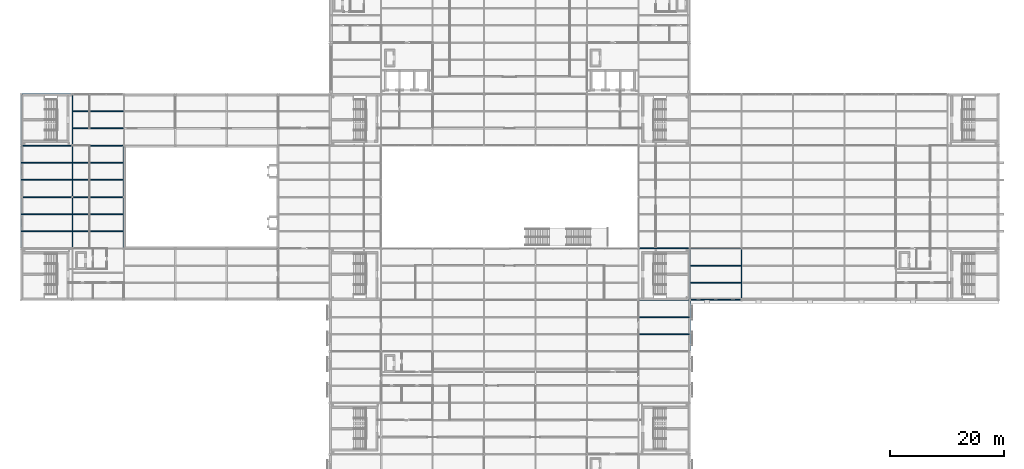
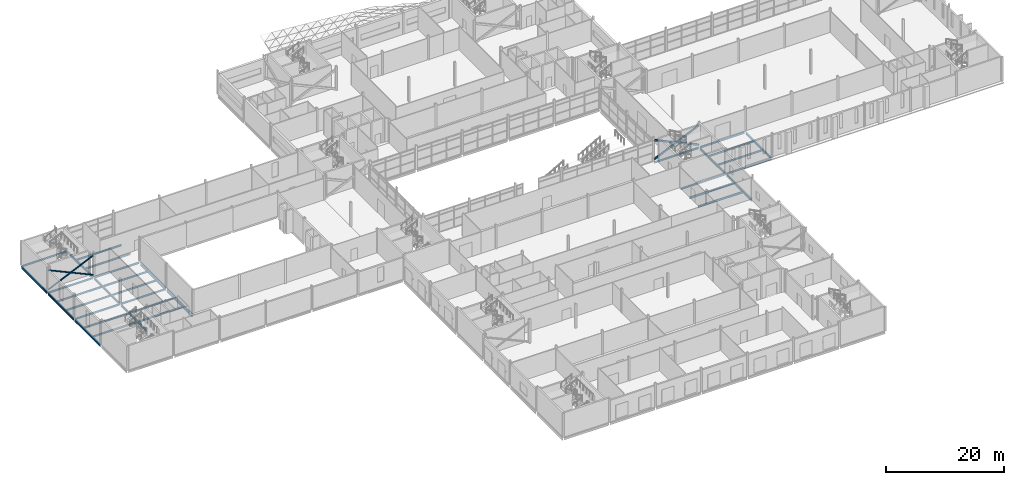
# One storey, part 30 of 112: 34 beams, 4 members.
"""IFC4 building model written with IfcOpenShell, lengths in metres."""

from ifc_helpers import new_model, si_unit, direction, frame, origin, origin_2d, place, context, subcontext, project, spatial, hollow_rectangle, hollow_circle, i_section, extrude, material, material_profile, profile_set, type_object, element, save


model = new_model("IFC4")

# Units and contexts
model_context = context("Model", 3, precision=1e-05, world=origin(), true_north=direction((0.0, 1.0)))
body_context = subcontext(model_context, "Body", "Model", "MODEL_VIEW")
ifc_project = project(units=[si_unit("LENGTHUNIT", "METRE"), si_unit("AREAUNIT", "SQUARE_METRE"), si_unit("VOLUMEUNIT", "CUBIC_METRE"), si_unit("PLANEANGLEUNIT", "RADIAN"), si_unit("MASSUNIT", "GRAM", prefix="KILO")], contexts=[model_context])

# Site, building, storey
site_placement = place(None, origin())
site = spatial("IfcSite", under=ifc_project, at=site_placement, CompositionType="ELEMENT")
building_placement = place(site_placement, origin())
building = spatial("IfcBuilding", under=site, at=building_placement, Name="Shorebreak Coast Museum", CompositionType="ELEMENT")
storey_placement = place(building_placement, frame((0.0, 0.0, 6.0)))
storey = spatial("IfcBuildingStorey", under=building, at=storey_placement, Name="L01", CompositionType="ELEMENT", Elevation=6.0)

# Beams
ifc_material_1 = material(Name="Steel Grade 300", Category="steel")
ifc_material_profile_1 = material_profile(ifc_material_1, i_section(OverallWidth=0.1708984375, OverallDepth=0.355712890625, WebThickness=0.00732421875, FlangeThickness=0.011474609375, FilletRadius=0.011474609375, at=origin_2d()), Name="360UB50.7")
ifc_profile_set_1 = profile_set([ifc_material_profile_1], Name="Steel Grade 300")
beam_type_1 = type_object("IfcBeamType", Name="Floor girder east-west 360UB50.7", PredefinedType="BEAM", material=ifc_profile_set_1)
beam_1_placement = place(storey_placement, frame((117.14990234375, 54.0, -0.352783203125), z_axis=(1.0, 0.0, 0.0), x_axis=(0.0, 1.0, 0.0)))
element("IfcBeam", 1, at=beam_1_placement, inside=storey, type_object=beam_type_1, Name="Floor girder east-west L01 14G", PredefinedType="BEAM", context=body_context, shape_type="SweptSolid", body=[
    extrude(i_section(OverallWidth=0.1708984375, OverallDepth=0.355712890625, WebThickness=0.00732421875, FlangeThickness=0.011474609375, FilletRadius=0.011474609375, at=origin_2d()), origin(), (0.0, 0.0, 1.0), 8.7001953125),
])
beam_2_placement = place(storey_placement, frame((117.154541015625, 63.0, -0.352783203125), z_axis=(1.0, 0.0, 0.0), x_axis=(0.0, 1.0, 0.0)))
element("IfcBeam", 2, at=beam_2_placement, inside=storey, type_object=beam_type_1, Name="Floor girder east-west L01 14H", PredefinedType="BEAM", context=body_context, shape_type="SweptSolid", body=[
    extrude(i_section(OverallWidth=0.1708984375, OverallDepth=0.355712890625, WebThickness=0.00732421875, FlangeThickness=0.011474609375, FilletRadius=0.011474609375, at=origin_2d()), origin(), (0.0, 0.0, 1.0), 8.69091796875),
])
beam_3_placement = place(storey_placement, frame((0.14990234375, 72.0, -0.352783203125), z_axis=(1.0, 0.0, 0.0), x_axis=(0.0, 1.0, 0.0)))
element("IfcBeam", 3, at=beam_3_placement, inside=storey, type_object=beam_type_1, Name="Floor girder east-west L01 1J", PredefinedType="BEAM", context=body_context, shape_type="SweptSolid", body=[
    extrude(i_section(OverallWidth=0.1708984375, OverallDepth=0.355712890625, WebThickness=0.00732421875, FlangeThickness=0.011474609375, FilletRadius=0.011474609375, at=origin_2d()), origin(), (0.0, 0.0, 1.0), 8.695556640625),
])
beam_4_placement = place(storey_placement, frame((9.154541015625, 72.0, -0.352783203125), z_axis=(1.0, 0.0, 0.0), x_axis=(0.0, 1.0, 0.0)))
element("IfcBeam", 4, at=beam_4_placement, inside=storey, type_object=beam_type_1, Name="Floor girder east-west L01 2J", PredefinedType="BEAM", context=body_context, shape_type="SweptSolid", body=[
    extrude(i_section(OverallWidth=0.1708984375, OverallDepth=0.355712890625, WebThickness=0.00732421875, FlangeThickness=0.011474609375, FilletRadius=0.011474609375, at=origin_2d()), origin(), (0.0, 0.0, 1.0), 8.68994140625),
])
beam_5_placement = place(storey_placement, frame((0.14990234375, 81.0, -0.352783203125), z_axis=(1.0, 0.0, 0.0), x_axis=(0.0, 1.0, 0.0)))
element("IfcBeam", 5, at=beam_5_placement, inside=storey, type_object=beam_type_1, Name="Floor girder east-west L01 1K", PredefinedType="BEAM", context=body_context, shape_type="SweptSolid", body=[
    extrude(i_section(OverallWidth=0.1708984375, OverallDepth=0.355712890625, WebThickness=0.00732421875, FlangeThickness=0.011474609375, FilletRadius=0.011474609375, at=origin_2d()), origin(), (0.0, 0.0, 1.0), 8.695556640625),
])
beam_6_placement = place(storey_placement, frame((9.154541015625, 81.0, -0.352783203125), z_axis=(1.0, 0.0, 0.0), x_axis=(0.0, 1.0, 0.0)))
element("IfcBeam", 6, at=beam_6_placement, inside=storey, type_object=beam_type_1, Name="Floor girder east-west L01 2K", PredefinedType="BEAM", context=body_context, shape_type="SweptSolid", body=[
    extrude(i_section(OverallWidth=0.1708984375, OverallDepth=0.355712890625, WebThickness=0.00732421875, FlangeThickness=0.011474609375, FilletRadius=0.011474609375, at=origin_2d()), origin(), (0.0, 0.0, 1.0), 8.68994140625),
])
beam_7_placement = place(storey_placement, frame((0.14990234375, 90.0, -0.352783203125), z_axis=(1.0, 0.0, 0.0), x_axis=(0.0, 1.0, 0.0)))
element("IfcBeam", 7, at=beam_7_placement, inside=storey, type_object=beam_type_1, Name="Floor girder east-west L01 1L", PredefinedType="BEAM", context=body_context, shape_type="SweptSolid", body=[
    extrude(i_section(OverallWidth=0.1708984375, OverallDepth=0.355712890625, WebThickness=0.00732421875, FlangeThickness=0.011474609375, FilletRadius=0.011474609375, at=origin_2d()), origin(), (0.0, 0.0, 1.0), 8.7001953125),
])
ifc_material_2 = material(Name="Steel Grade 300", Category="steel")
ifc_material_profile_2 = material_profile(ifc_material_2, i_section(OverallWidth=0.172119140625, OverallDepth=0.358642578125, WebThickness=0.008056640625, FlangeThickness=0.012939453125, FilletRadius=0.011474609375, at=origin_2d()), Name="360UB56.7")
ifc_profile_set_2 = profile_set([ifc_material_profile_2], Name="Steel Grade 300")
beam_type_2 = type_object("IfcBeamType", Name="Floor girder east-west 360UB56.7", PredefinedType="BEAM", material=ifc_profile_set_2)
beam_8_placement = place(storey_placement, frame((108.154541015625, 54.0, -0.354248046875), z_axis=(1.0, 0.0, 0.0), x_axis=(0.0, 1.0, 0.0)))
element("IfcBeam", 8, at=beam_8_placement, inside=storey, type_object=beam_type_2, Name="Floor girder east-west L01 13G", PredefinedType="BEAM", context=body_context, shape_type="SweptSolid", body=[
    extrude(i_section(OverallWidth=0.172119140625, OverallDepth=0.358642578125, WebThickness=0.008056640625, FlangeThickness=0.012939453125, FilletRadius=0.011474609375, at=origin_2d()), origin(), (0.0, 0.0, 1.0), 8.695556640625),
])
beam_9_placement = place(storey_placement, frame((108.155517578125, 63.0, -0.354248046875), z_axis=(1.0, 0.0, 0.0), x_axis=(0.0, 1.0, 0.0)))
element("IfcBeam", 9, at=beam_9_placement, inside=storey, type_object=beam_type_2, Name="Floor girder east-west L01 13H", PredefinedType="BEAM", context=body_context, shape_type="SweptSolid", body=[
    extrude(i_section(OverallWidth=0.172119140625, OverallDepth=0.358642578125, WebThickness=0.008056640625, FlangeThickness=0.012939453125, FilletRadius=0.011474609375, at=origin_2d()), origin(), (0.0, 0.0, 1.0), 8.68994140625),
])
ifc_material_3 = material(Name="Steel Grade 300", Category="steel")
ifc_material_profile_3 = material_profile(ifc_material_3, i_section(OverallWidth=0.19091796875, OverallDepth=0.46044921875, WebThickness=0.010009765625, FlangeThickness=0.01611328125, FilletRadius=0.011474609375, at=origin_2d()), Name="460UB82.1")
ifc_profile_set_3 = profile_set([ifc_material_profile_3], Name="Steel Grade 300")
beam_type_3 = type_object("IfcBeamType", Name="Floor girder north-south 460UB82.1", PredefinedType="BEAM", material=ifc_profile_set_3)
for number, where, z_axis, x_axis, name in (
    (10, (117.0, 54.14990234375, -0.4052734375), (0.0, 1.0, 0.0), (-1.0, 0.0, 0.0), "Floor girder north-south L01 14G"),
    (11, (126.0, 54.14990234375, -0.4052734375), (0.0, 1.0, 0.0), (-1.0, 0.0, 0.0), "Floor girder north-south L01 15G"),
):
    element("IfcBeam", number, at=place(storey_placement, frame(where, z_axis=z_axis, x_axis=x_axis)), inside=storey, type_object=beam_type_3, Name=name, PredefinedType="BEAM", context=body_context, shape_type="SweptSolid", body=[
        extrude(i_section(OverallWidth=0.19091796875, OverallDepth=0.46044921875, WebThickness=0.010009765625, FlangeThickness=0.01611328125, FilletRadius=0.011474609375, at=origin_2d()), origin(), (0.0, 0.0, 1.0), 8.689697265625),
    ])
beam_10_placement = place(storey_placement, frame((0.0, 63.14990234375, -0.4052734375), z_axis=(0.0, 1.0, 0.0), x_axis=(-1.0, 0.0, 0.0)))
element("IfcBeam", 12, at=beam_10_placement, inside=storey, type_object=beam_type_3, Name="Floor girder north-south L01 1H", PredefinedType="BEAM", context=body_context, shape_type="SweptSolid", body=[
    extrude(i_section(OverallWidth=0.19091796875, OverallDepth=0.46044921875, WebThickness=0.010009765625, FlangeThickness=0.01611328125, FilletRadius=0.011474609375, at=origin_2d()), origin(), (0.0, 0.0, 1.0), 8.7001953125),
])
beam_11_placement = place(storey_placement, frame((9.0, 63.160400390625, -0.4052734375), z_axis=(0.0, 1.0, 0.0), x_axis=(-1.0, 0.0, 0.0)))
element("IfcBeam", 13, at=beam_11_placement, inside=storey, type_object=beam_type_3, Name="Floor girder north-south L01 2H", PredefinedType="BEAM", context=body_context, shape_type="SweptSolid", body=[
    extrude(i_section(OverallWidth=0.19091796875, OverallDepth=0.46044921875, WebThickness=0.010009765625, FlangeThickness=0.01611328125, FilletRadius=0.011474609375, at=origin_2d()), origin(), (0.0, 0.0, 1.0), 8.67919921875),
])
beam_12_placement = place(storey_placement, frame((0.0, 72.14990234375, -0.4052734375), z_axis=(0.0, 1.0, 0.0), x_axis=(-1.0, 0.0, 0.0)))
element("IfcBeam", 14, at=beam_12_placement, inside=storey, type_object=beam_type_3, Name="Floor girder north-south L01 1J", PredefinedType="BEAM", context=body_context, shape_type="SweptSolid", body=[
    extrude(i_section(OverallWidth=0.19091796875, OverallDepth=0.46044921875, WebThickness=0.010009765625, FlangeThickness=0.01611328125, FilletRadius=0.011474609375, at=origin_2d()), origin(), (0.0, 0.0, 1.0), 8.7001953125),
])
beam_13_placement = place(storey_placement, frame((9.0, 72.160400390625, -0.4052734375), z_axis=(0.0, 1.0, 0.0), x_axis=(-1.0, 0.0, 0.0)))
element("IfcBeam", 15, at=beam_13_placement, inside=storey, type_object=beam_type_3, Name="Floor girder north-south L01 2J", PredefinedType="BEAM", context=body_context, shape_type="SweptSolid", body=[
    extrude(i_section(OverallWidth=0.19091796875, OverallDepth=0.46044921875, WebThickness=0.010009765625, FlangeThickness=0.01611328125, FilletRadius=0.011474609375, at=origin_2d()), origin(), (0.0, 0.0, 1.0), 8.67919921875),
])
beam_14_placement = place(storey_placement, frame((0.0, 81.14990234375, -0.4052734375), z_axis=(0.0, 1.0, 0.0), x_axis=(-1.0, 0.0, 0.0)))
element("IfcBeam", 16, at=beam_14_placement, inside=storey, type_object=beam_type_3, Name="Floor girder north-south L01 1K", PredefinedType="BEAM", context=body_context, shape_type="SweptSolid", body=[
    extrude(i_section(OverallWidth=0.19091796875, OverallDepth=0.46044921875, WebThickness=0.010009765625, FlangeThickness=0.01611328125, FilletRadius=0.011474609375, at=origin_2d()), origin(), (0.0, 0.0, 1.0), 8.7001953125),
])
beam_15_placement = place(storey_placement, frame((9.0, 81.160400390625, -0.4052734375), z_axis=(0.0, 1.0, 0.0), x_axis=(-1.0, 0.0, 0.0)))
element("IfcBeam", 17, at=beam_15_placement, inside=storey, type_object=beam_type_3, Name="Floor girder north-south L01 2K", PredefinedType="BEAM", context=body_context, shape_type="SweptSolid", body=[
    extrude(i_section(OverallWidth=0.19091796875, OverallDepth=0.46044921875, WebThickness=0.010009765625, FlangeThickness=0.01611328125, FilletRadius=0.011474609375, at=origin_2d()), origin(), (0.0, 0.0, 1.0), 8.689697265625),
])
ifc_material_4 = material(Name="Steel Grade 300", Category="steel")
ifc_material_profile_4 = material_profile(ifc_material_4, i_section(OverallWidth=0.208984375, OverallDepth=0.532958984375, WebThickness=0.01025390625, FlangeThickness=0.015625, FilletRadius=0.013916015625, at=origin_2d()), Name="530UB92.4")
ifc_profile_set_4 = profile_set([ifc_material_profile_4], Name="Steel Grade 300")
beam_type_4 = type_object("IfcBeamType", Name="Floor girder north-south 530UB92.4", PredefinedType="BEAM", material=ifc_profile_set_4)
beam_16_placement = place(storey_placement, frame((117.0, 45.14990234375, -0.44140625), z_axis=(0.0, 1.0, 0.0), x_axis=(-1.0, 0.0, 0.0)))
element("IfcBeam", 18, at=beam_16_placement, inside=storey, type_object=beam_type_4, Name="Floor girder north-south L01 14F", PredefinedType="BEAM", context=body_context, shape_type="SweptSolid", body=[
    extrude(i_section(OverallWidth=0.208984375, OverallDepth=0.532958984375, WebThickness=0.01025390625, FlangeThickness=0.015625, FilletRadius=0.013916015625, at=origin_2d()), origin(), (0.0, 0.0, 1.0), 8.7001953125),
])
ifc_material_5 = material(Name="Steel Grade 300", Category="steel")
ifc_material_profile_5 = material_profile(ifc_material_5, i_section(OverallWidth=0.22802734375, OverallDepth=0.60693359375, WebThickness=0.01123046875, FlangeThickness=0.017333984375, FilletRadius=0.013916015625, at=origin_2d()), Name="610UB113")
ifc_profile_set_5 = profile_set([ifc_material_profile_5], Name="Steel Grade 300")
beam_type_5 = type_object("IfcBeamType", Name="Floor girder north-south 610UB113", PredefinedType="BEAM", material=ifc_profile_set_5)
for number, where, z_axis, x_axis, name in (
    (19, (18.0, 63.16357421875, -0.478515625), (0.0, 1.0, 0.0), (-1.0, 0.0, 0.0), "Floor girder north-south L01 3H"),
    (20, (18.0, 72.16357421875, -0.478515625), (0.0, 1.0, 0.0), (-1.0, 0.0, 0.0), "Floor girder north-south L01 3J"),
):
    element("IfcBeam", number, at=place(storey_placement, frame(where, z_axis=z_axis, x_axis=x_axis)), inside=storey, type_object=beam_type_5, Name=name, PredefinedType="BEAM", context=body_context, shape_type="SweptSolid", body=[
        extrude(i_section(OverallWidth=0.22802734375, OverallDepth=0.60693359375, WebThickness=0.01123046875, FlangeThickness=0.017333984375, FilletRadius=0.013916015625, at=origin_2d()), origin(), (0.0, 0.0, 1.0), 8.6728515625),
    ])
ifc_material_6 = material(Name="Steel Grade 300", Category="steel")
ifc_material_profile_6 = material_profile(ifc_material_6, i_section(OverallWidth=0.1708984375, OverallDepth=0.355712890625, WebThickness=0.00732421875, FlangeThickness=0.011474609375, FilletRadius=0.011474609375, at=origin_2d()), Name="360UB50.7")
ifc_profile_set_6 = profile_set([ifc_material_profile_6], Name="Steel Grade 300")
beam_type_6 = type_object("IfcBeamType", Name="Floor joist 360UB50.7", PredefinedType="JOIST", material=ifc_profile_set_6)
for number, where, z_axis, x_axis, name in (
    (21, (117.095458984375, 57.0, -0.352783203125), (1.0, 0.0, 0.0), (0.0, 1.0, 0.0), "Floor joist L01 bay 14G at 3000 mm"),
    (22, (117.095458984375, 60.0, -0.352783203125), (1.0, 0.0, 0.0), (0.0, 1.0, 0.0), "Floor joist L01 bay 14G at 6000 mm"),
    (23, (0.095458984375, 66.0, -0.352783203125), (1.0, 0.0, 0.0), (0.0, 1.0, 0.0), "Floor joist L01 bay 1H at 3000 mm"),
    (24, (0.095458984375, 69.0, -0.352783203125), (1.0, 0.0, 0.0), (0.0, 1.0, 0.0), "Floor joist L01 bay 1H at 6000 mm"),
):
    element("IfcBeam", number, at=place(storey_placement, frame(where, z_axis=z_axis, x_axis=x_axis)), inside=storey, type_object=beam_type_6, Name=name, PredefinedType="JOIST", context=body_context, shape_type="SweptSolid", body=[
        extrude(i_section(OverallWidth=0.1708984375, OverallDepth=0.355712890625, WebThickness=0.00732421875, FlangeThickness=0.011474609375, FilletRadius=0.011474609375, at=origin_2d()), origin(), (0.0, 0.0, 1.0), 8.80908203125),
    ])
for number, where, z_axis, x_axis, name in (
    (25, (9.095458984375, 66.0, -0.352783203125), (1.0, 0.0, 0.0), (0.0, 1.0, 0.0), "Floor joist L01 bay 2H at 3000 mm"),
    (26, (9.095458984375, 69.0, -0.352783203125), (1.0, 0.0, 0.0), (0.0, 1.0, 0.0), "Floor joist L01 bay 2H at 6000 mm"),
):
    element("IfcBeam", number, at=place(storey_placement, frame(where, z_axis=z_axis, x_axis=x_axis)), inside=storey, type_object=beam_type_6, Name=name, PredefinedType="JOIST", context=body_context, shape_type="SweptSolid", body=[
        extrude(i_section(OverallWidth=0.1708984375, OverallDepth=0.355712890625, WebThickness=0.00732421875, FlangeThickness=0.011474609375, FilletRadius=0.011474609375, at=origin_2d()), origin(), (0.0, 0.0, 1.0), 8.79052734375),
    ])
for number, where, z_axis, x_axis, name in (
    (27, (0.095458984375, 75.0, -0.352783203125), (1.0, 0.0, 0.0), (0.0, 1.0, 0.0), "Floor joist L01 bay 1J at 3000 mm"),
    (28, (0.095458984375, 78.0, -0.352783203125), (1.0, 0.0, 0.0), (0.0, 1.0, 0.0), "Floor joist L01 bay 1J at 6000 mm"),
):
    element("IfcBeam", number, at=place(storey_placement, frame(where, z_axis=z_axis, x_axis=x_axis)), inside=storey, type_object=beam_type_6, Name=name, PredefinedType="JOIST", context=body_context, shape_type="SweptSolid", body=[
        extrude(i_section(OverallWidth=0.1708984375, OverallDepth=0.355712890625, WebThickness=0.00732421875, FlangeThickness=0.011474609375, FilletRadius=0.011474609375, at=origin_2d()), origin(), (0.0, 0.0, 1.0), 8.80908203125),
    ])
for number, where, z_axis, x_axis, name in (
    (29, (9.095458984375, 75.0, -0.352783203125), (1.0, 0.0, 0.0), (0.0, 1.0, 0.0), "Floor joist L01 bay 2J at 3000 mm"),
    (30, (9.095458984375, 78.0, -0.352783203125), (1.0, 0.0, 0.0), (0.0, 1.0, 0.0), "Floor joist L01 bay 2J at 6000 mm"),
):
    element("IfcBeam", number, at=place(storey_placement, frame(where, z_axis=z_axis, x_axis=x_axis)), inside=storey, type_object=beam_type_6, Name=name, PredefinedType="JOIST", context=body_context, shape_type="SweptSolid", body=[
        extrude(i_section(OverallWidth=0.1708984375, OverallDepth=0.355712890625, WebThickness=0.00732421875, FlangeThickness=0.011474609375, FilletRadius=0.011474609375, at=origin_2d()), origin(), (0.0, 0.0, 1.0), 8.79052734375),
    ])
for number, where, z_axis, x_axis, name in (
    (31, (9.095458984375, 84.0, -0.352783203125), (1.0, 0.0, 0.0), (0.0, 1.0, 0.0), "Floor joist L01 bay 2K at 3000 mm"),
    (32, (9.095458984375, 87.0, -0.352783203125), (1.0, 0.0, 0.0), (0.0, 1.0, 0.0), "Floor joist L01 bay 2K at 6000 mm"),
):
    element("IfcBeam", number, at=place(storey_placement, frame(where, z_axis=z_axis, x_axis=x_axis)), inside=storey, type_object=beam_type_6, Name=name, PredefinedType="JOIST", context=body_context, shape_type="SweptSolid", body=[
        extrude(i_section(OverallWidth=0.1708984375, OverallDepth=0.355712890625, WebThickness=0.00732421875, FlangeThickness=0.011474609375, FilletRadius=0.011474609375, at=origin_2d()), origin(), (0.0, 0.0, 1.0), 8.80908203125),
    ])
ifc_material_7 = material(Name="Steel Grade 300", Category="steel")
ifc_material_profile_7 = material_profile(ifc_material_7, i_section(OverallWidth=0.177978515625, OverallDepth=0.402587890625, WebThickness=0.007568359375, FlangeThickness=0.010986328125, FilletRadius=0.011474609375, at=origin_2d()), Name="410UB53.7")
ifc_profile_set_7 = profile_set([ifc_material_profile_7], Name="Steel Grade 300")
beam_type_7 = type_object("IfcBeamType", Name="Floor joist 410UB53.7", PredefinedType="JOIST", material=ifc_profile_set_7)
for number, where, z_axis, x_axis, name in (
    (33, (108.1044921875, 48.0, -0.376220703125), (1.0, 0.0, 0.0), (0.0, 1.0, 0.0), "Floor joist L01 bay 13F at 3000 mm"),
    (34, (108.1044921875, 51.0, -0.376220703125), (1.0, 0.0, 0.0), (0.0, 1.0, 0.0), "Floor joist L01 bay 13F at 6000 mm"),
):
    element("IfcBeam", number, at=place(storey_placement, frame(where, z_axis=z_axis, x_axis=x_axis)), inside=storey, type_object=beam_type_7, Name=name, PredefinedType="JOIST", context=body_context, shape_type="SweptSolid", body=[
        extrude(i_section(OverallWidth=0.177978515625, OverallDepth=0.402587890625, WebThickness=0.007568359375, FlangeThickness=0.010986328125, FilletRadius=0.011474609375, at=origin_2d()), origin(), (0.0, 0.0, 1.0), 8.791015625),
    ])

# Members
ifc_material_8 = material(Name="Steel Grade C350L0", Category="steel")
ifc_material_profile_8 = material_profile(ifc_material_8, hollow_circle(Radius=0.136474609375, WallThickness=0.00927734375, at=origin_2d()), Name="273.1x9.3 CHS")
ifc_profile_set_8 = profile_set([ifc_material_profile_8], Name="Steel Grade C350L0")
member_type_1 = type_object("IfcMemberType", Name="X-brace 273.1x9.3 CHS", PredefinedType="BRACE", material=ifc_profile_set_8)
for number, where, z_axis, x_axis, name in (
    (35, (0.14990234375, 81.0, 0.300048828125), (0.909484682467, 0.0, 0.415737431991), (0.0, 1.0, 0.0), "X-brace bay 06 L01 diagonal 1"),
    (36, (8.845458984375, 81.0, 0.300048828125), (-0.909484682467, 0.0, 0.415737431991), (0.0, -1.0, 0.0), "X-brace bay 06 L01 diagonal 2"),
):
    element("IfcMember", number, at=place(storey_placement, frame(where, z_axis=z_axis, x_axis=x_axis)), inside=storey, type_object=member_type_1, Name=name, PredefinedType="BRACE", context=body_context, shape_type="SweptSolid", body=[
        extrude(hollow_circle(Radius=0.136474609375, WallThickness=0.00927734375, at=origin_2d()), origin(), (0.0, 0.0, 1.0), 9.56103515625),
    ])
ifc_material_9 = material(Name="Steel Grade C450L0", Category="steel")
ifc_material_profile_9 = material_profile(ifc_material_9, hollow_rectangle(XDim=0.25, YDim=0.35009765625, WallThickness=0.012451171875, InnerFilletRadius=0.018798828125, OuterFilletRadius=0.03125, at=origin_2d()), Name="350x250x12.5 RHS")
ifc_profile_set_9 = profile_set([ifc_material_profile_9], Name="Steel Grade C450L0")
member_type_2 = type_object("IfcMemberType", Name="X-brace 350x250x12.5 RHS", PredefinedType="BRACE", material=ifc_profile_set_9)
for number, where, z_axis, x_axis, name in (
    (37, (108.155517578125, 63.0, 0.300048828125), (0.909383092175, 0.0, 0.415959603408), (0.0, 1.0, 0.0), "X-brace bay 02 L01 diagonal 1"),
    (38, (116.845458984375, 63.0, 0.300048828125), (-0.909383092175, 0.0, 0.415959603408), (0.0, -1.0, 0.0), "X-brace bay 02 L01 diagonal 2"),
):
    element("IfcMember", number, at=place(storey_placement, frame(where, z_axis=z_axis, x_axis=x_axis)), inside=storey, type_object=member_type_2, Name=name, PredefinedType="BRACE", context=body_context, shape_type="SweptSolid", body=[
        extrude(hollow_rectangle(XDim=0.25, YDim=0.35009765625, WallThickness=0.012451171875, InnerFilletRadius=0.018798828125, OuterFilletRadius=0.03125, at=origin_2d()), origin(), (0.0, 0.0, 1.0), 9.555908203125),
    ])

save(model, "model.ifc")
